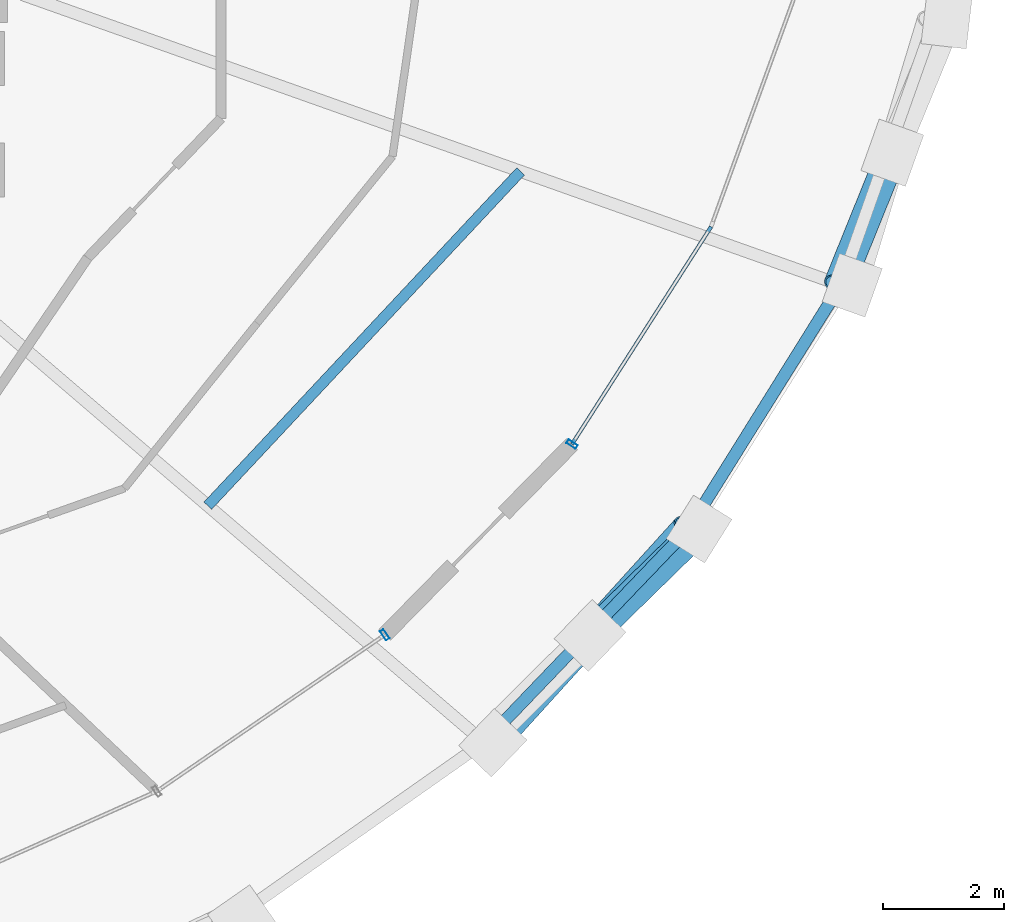
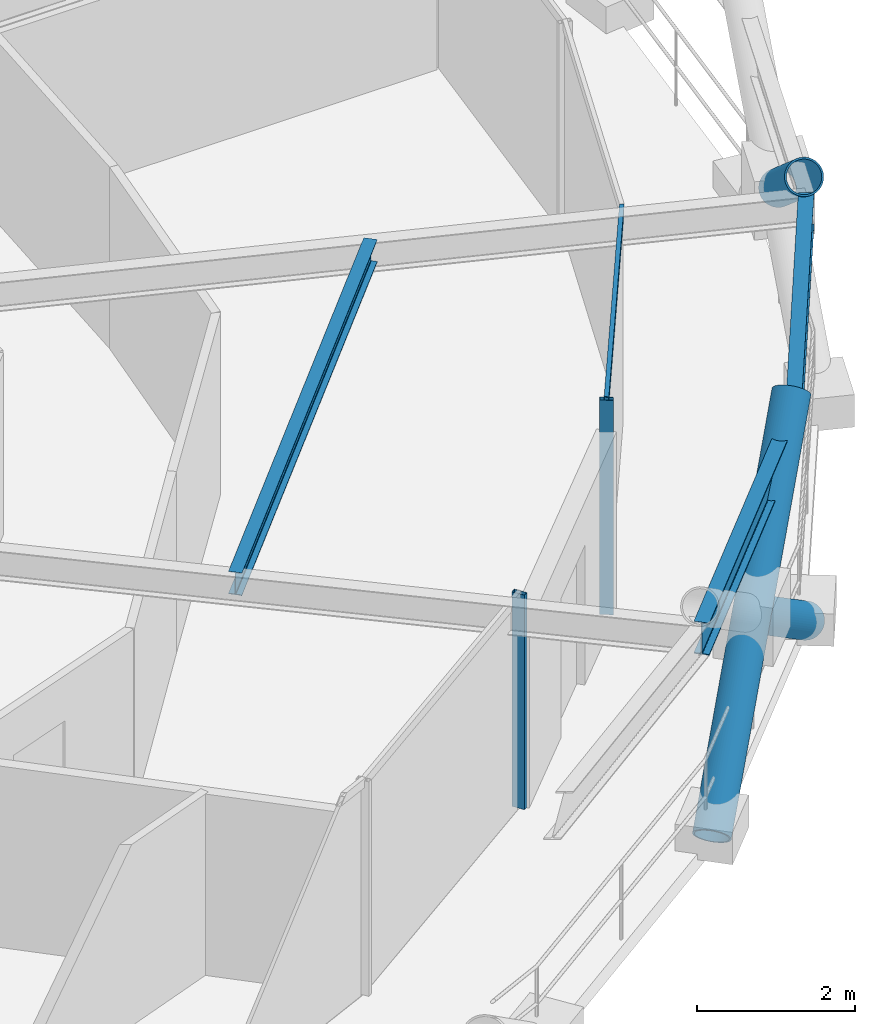
# One storey, part 6 of 16: 6 members, 3 beams, 2 elements without a shape of their own.
"""IFC4 building model written with IfcOpenShell, lengths in metres."""

from ifc_helpers import new_model, si_unit, direction, frame, origin, origin_2d, place, context, subcontext, project, spatial, hollow_rectangle, hollow_circle, i_section, extrude, material, layer, layer_set, material_profile, profile_set, type_object, element, aggregate, save


model = new_model("IFC4")

# Units and contexts
model_context = context("Model", 3, precision=1e-05, world=origin(), true_north=direction((0.0, 1.0)))
body_context = subcontext(model_context, "Body", "Model", "MODEL_VIEW")
ifc_project = project(units=[si_unit("LENGTHUNIT", "METRE"), si_unit("AREAUNIT", "SQUARE_METRE"), si_unit("VOLUMEUNIT", "CUBIC_METRE"), si_unit("PLANEANGLEUNIT", "RADIAN"), si_unit("MASSUNIT", "GRAM", prefix="KILO")], contexts=[model_context])

# Site, building, storey
site_placement = place(None, origin())
site = spatial("IfcSite", under=ifc_project, at=site_placement, CompositionType="ELEMENT")
building_placement = place(site_placement, origin())
building = spatial("IfcBuilding", under=site, at=building_placement, Name="Veldorina Hangang Commons", CompositionType="ELEMENT")
storey_placement = place(building_placement, frame((0.0, 0.0, 185.60009765625)))
storey = spatial("IfcBuildingStorey", under=building, at=storey_placement, Name="L48", CompositionType="ELEMENT", Elevation=185.60009765625)

# Beams
ifc_material_1 = material(Name="Steel SM355-TMC", Category="steel")
ifc_material_profile_1 = material_profile(ifc_material_1, i_section(OverallWidth=0.175048828125, OverallDepth=0.35009765625, WebThickness=0.007080078125, FlangeThickness=0.010986328125, FilletRadius=0.012939453125, at=origin_2d()), Name="H-350x175x7x11")
ifc_profile_set_1 = profile_set([ifc_material_profile_1], Name="Steel SM355-TMC")
beam_type_1 = type_object("IfcBeamType", Name="BM-JST350", PredefinedType="JOIST", material=ifc_profile_set_1)
beam_1_placement = place(storey_placement, frame((46.63330078125, 11.461181640625, 3.1748046875), z_axis=(0.683245001655, 0.730189199943, 0.0), x_axis=(-0.730189199943, 0.683245001655, 0.0)))
element("IfcBeam", 1, at=beam_1_placement, inside=storey, type_object=beam_type_1, Name="L48 secondary floor joist 15", PredefinedType="JOIST", context=body_context, shape_type="SweptSolid", body=[
    extrude(i_section(OverallWidth=0.175048828125, OverallDepth=0.35009765625, WebThickness=0.007080078125, FlangeThickness=0.010986328125, FilletRadius=0.012939453125, at=origin_2d()), origin(), (0.0, 0.0, 1.0), 7.55126953125),
])
ifc_material_2 = material(Name="Steel SM420-TMC", Category="steel")
ifc_material_profile_2 = material_profile(ifc_material_2, i_section(OverallWidth=0.199951171875, OverallDepth=0.5, WebThickness=0.010009765625, FlangeThickness=0.01611328125, FilletRadius=0.01611328125, at=origin_2d()), Name="H-500x200x10x16")
ifc_profile_set_2 = profile_set([ifc_material_profile_2], Name="Steel SM420-TMC")
beam_type_2 = type_object("IfcBeamType", Name="BM-RB500", PredefinedType="BEAM", material=ifc_profile_set_2)
beam_2_placement = place(storey_placement, frame((51.18896484375, 7.5576171875, 3.099853515625), z_axis=(0.691680360766, 0.722203765242, 0.0), x_axis=(-0.722203765242, 0.691680360766, 0.0)))
element("IfcBeam", 2, at=beam_2_placement, inside=storey, type_object=beam_type_2, Name="L48 perimeter hoop ring beam 28", PredefinedType="BEAM", context=body_context, shape_type="SweptSolid", body=[
    extrude(i_section(OverallWidth=0.199951171875, OverallDepth=0.5, WebThickness=0.010009765625, FlangeThickness=0.01611328125, FilletRadius=0.01611328125, at=origin_2d()), origin(), (0.0, 0.0, 1.0), 4.879150390625),
])
beam_3_placement = place(storey_placement, frame((54.563720703125, 11.081298828125, 3.099853515625), z_axis=(0.529285479706, 0.848443799537, 0.0), x_axis=(-0.848443799537, 0.529285479706, 0.0)))
element("IfcBeam", 3, at=beam_3_placement, inside=storey, type_object=beam_type_2, Name="L48 perimeter hoop ring beam 29", PredefinedType="BEAM", context=body_context, shape_type="SweptSolid", body=[
    extrude(i_section(OverallWidth=0.199951171875, OverallDepth=0.5, WebThickness=0.010009765625, FlangeThickness=0.01611328125, FilletRadius=0.01611328125, at=origin_2d()), origin(), (0.0, 0.0, 1.0), 4.738037109375),
])

# Curtain wall, member
ifc_material_3 = material(Name="Glass Low-E Triple IGU", Category="glass")
ifc_layer = layer(ifc_material_3, 0.179931640625)
ifc_layer_set = layer_set([ifc_layer], Name="Glass Low-E Triple IGU")
curtain_wall_type = type_object("IfcCurtainWallType", Name="CW-SYS-Z2", PredefinedType="NOTDEFINED", material=ifc_layer_set)
curtain_wall_1_placement = place(storey_placement, origin())
curtain_wall_1 = element("IfcCurtainWall", 4, at=curtain_wall_1_placement, inside=storey, type_object=curtain_wall_type, Name="L48 unitised curtain wall CW-L48-R1", PredefinedType="NOTDEFINED")
ifc_material_4 = material(Name="Aluminium Anodized AA6063-T6", Category="aluminium")
ifc_material_profile_3 = material_profile(ifc_material_4, hollow_rectangle(XDim=0.070068359375, YDim=0.179931640625, WallThickness=0.00390625, at=origin_2d()), Name="ALU-RHS-180x70x4")
ifc_profile_set_3 = profile_set([ifc_material_profile_3], Name="Aluminium Anodized AA6063-T6")
member_type_1 = type_object("IfcMemberType", Name="CW-MUL-180", PredefinedType="MULLION", material=ifc_profile_set_3)
member_1_placement = place(storey_placement, frame((49.552734375, 9.33203125, 0.0), z_axis=(0.0, 0.0, 1.0), x_axis=(-0.824689262973, -0.565586084993, 0.0)))
member_1 = element("IfcMember", 5, at=member_1_placement, type_object=member_type_1, Name="CW-L48-R1 vertical mullion 5", PredefinedType="MULLION", context=body_context, shape_type="SweptSolid", body=[
    extrude(hollow_rectangle(XDim=0.070068359375, YDim=0.179931640625, WallThickness=0.00390625, at=origin_2d()), origin(), (0.0, 0.0, 1.0), 3.309814453125),
])
aggregate(curtain_wall_1, [member_1])

# Curtain wall, members
curtain_wall_2_placement = place(storey_placement, origin())
curtain_wall_2 = element("IfcCurtainWall", 6, at=curtain_wall_2_placement, inside=storey, type_object=curtain_wall_type, Name="L48 unitised curtain wall CW-L48-R2", PredefinedType="NOTDEFINED")
member_2_placement = place(storey_placement, frame((52.639892578125, 12.4755859375, 0.0), z_axis=(0.0, 0.0, 1.0), x_axis=(0.538829597966, 0.842414781658, 0.0)))
member_2 = element("IfcMember", 7, at=member_2_placement, type_object=member_type_1, Name="CW-L48-R2 vertical mullion 1", PredefinedType="MULLION", context=body_context, shape_type="SweptSolid", body=[
    extrude(hollow_rectangle(XDim=0.070068359375, YDim=0.179931640625, WallThickness=0.00390625, at=origin_2d()), origin(), (0.0, 0.0, 1.0), 3.309814453125),
])
ifc_material_profile_4 = material_profile(ifc_material_4, hollow_rectangle(XDim=0.06005859375, YDim=0.139892578125, WallThickness=0.00341796875, at=origin_2d()), Name="ALU-RHS-140x60x3.5")
ifc_profile_set_4 = profile_set([ifc_material_profile_4], Name="Aluminium Anodized AA6063-T6")
member_type_2 = type_object("IfcMemberType", Name="CW-TRN-140", PredefinedType="USERDEFINED", material=ifc_profile_set_4)
member_3_placement = place(storey_placement, frame((52.639892578125, 12.4755859375, 3.27001953125), z_axis=(0.538851885124, 0.842400525818, 0.0), x_axis=(-0.842400525818, 0.538851885124, 0.0)))
member_3 = element("IfcMember", 8, at=member_3_placement, type_object=member_type_2, Name="CW-L48-R2 facet 1 transom 1", ObjectType="TRANSOM", PredefinedType="USERDEFINED", context=body_context, shape_type="SweptSolid", body=[
    extrude(hollow_rectangle(XDim=0.06005859375, YDim=0.139892578125, WallThickness=0.00341796875, at=origin_2d()), origin(), (0.0, 0.0, 1.0), 4.257080078125),
])
aggregate(curtain_wall_2, [member_2, member_3])

# Members
ifc_material_profile_5 = material_profile(ifc_material_2, hollow_circle(Radius=0.25, WallThickness=0.02490234375, at=origin_2d()), Name="CHS-500x25")
ifc_profile_set_5 = profile_set([ifc_material_profile_5], Name="Steel SM420-TMC")
member_type_3 = type_object("IfcMemberType", Name="DG-CHS500", PredefinedType="BRACE", material=ifc_profile_set_5)
member_4_placement = place(storey_placement, frame((51.334716796875, 7.55029296875, 0.0), z_axis=(0.535934830672, 0.591273483973, 0.602635482213), x_axis=(-0.740928813345, 0.671583571535, 0.0)))
element("IfcMember", 9, at=member_4_placement, inside=storey, type_object=member_type_3, Name="L48 continuous perimeter diagrid brace 28", PredefinedType="BRACE", context=body_context, shape_type="SweptSolid", body=[
    extrude(hollow_circle(Radius=0.25, WallThickness=0.02490234375, at=origin_2d()), origin(), (0.0, 0.0, 1.0), 5.9736328125),
])
member_5_placement = place(storey_placement, frame((54.735107421875, 11.075439453125, 0.0), z_axis=(-0.580888119576, -0.567623309995, 0.583414749973), x_axis=(0.698893392106, -0.715225856965, 0.0)))
element("IfcMember", 10, at=member_5_placement, inside=storey, type_object=member_type_3, Name="L48 split perimeter diagrid lower brace 29", PredefinedType="BRACE", context=body_context, shape_type="SweptSolid", body=[
    extrude(hollow_circle(Radius=0.25, WallThickness=0.02490234375, at=origin_2d()), origin(), (0.0, 0.0, 1.0), 3.092041015625),
])
member_6_placement = place(storey_placement, frame((57.923095703125, 17.2822265625, 1.80126953125), z_axis=(-0.297922916137, -0.736355284004, 0.607472494653), x_axis=(0.927001816733, -0.375056838058, 0.0)))
element("IfcMember", 11, at=member_6_placement, inside=storey, type_object=member_type_3, Name="L48 split perimeter diagrid upper brace 31", PredefinedType="BRACE", context=body_context, shape_type="SweptSolid", body=[
    extrude(hollow_circle(Radius=0.25, WallThickness=0.02490234375, at=origin_2d()), origin(), (0.0, 0.0, 1.0), 2.960693359375),
])

save(model, "model.ifc")
